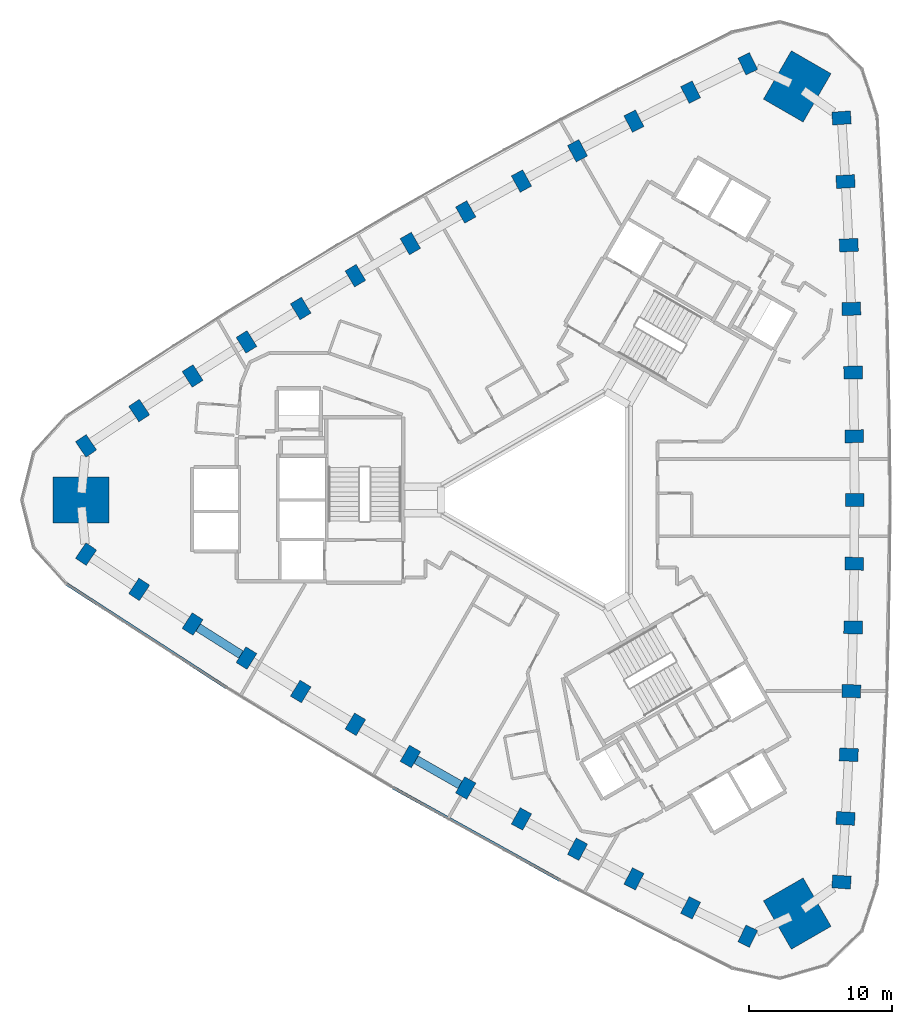
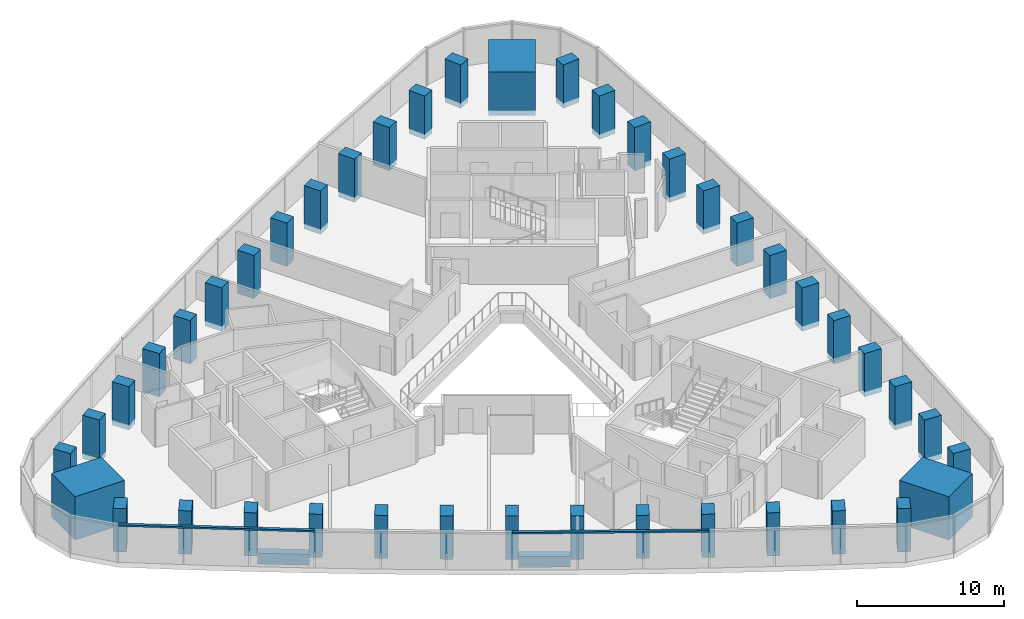
# One storey, part 1 of 12: 42 columns, 2 beams, 2 members, 1 element without a shape of its own.
"""IFC4 building model written with IfcOpenShell, lengths in metres."""

import ifcopenshell
import ifcopenshell.guid

model = None  # the IFC model being written
_history = None  # IfcOwnerHistory: only IFC2X3 demands one
_inside = {}  # id of a spatial element -> (the spatial element, [elements in it])
_under = {}  # id of a project, library or spatial element -> (it, [spatial elements below it])
_declared = {}  # id of a project -> (the project, [libraries it declares])
_typed = {}  # id of a type object -> (the type object, [elements of that type])
_made_of = {}  # id of a material, layer set ... -> (it, [elements and type objects made of it])


def new_model(schema):
    """Start an empty IFC model of exactly this schema.

    Asked for "IFC4X3", IfcOpenShell would pick the latest addendum, in which some entities
    have other attributes; the version numbers below select the first issue.
    IFC2X3 requires an IfcOwnerHistory on every rooted entity: one is made here for all.
    """
    global model, _history
    if schema == "IFC4X3":
        model = ifcopenshell.file(schema_version=(4, 3, 0, 0))
    else:
        model = ifcopenshell.file(schema=schema)
    _inside.clear()
    _under.clear()
    _declared.clear()
    _typed.clear()
    _made_of.clear()
    _history = None
    if model.schema == "IFC2X3":
        org = make("IfcOrganization", Name="unknown")
        user = make(
            "IfcPersonAndOrganization",
            ThePerson=make("IfcPerson", FamilyName="unknown"),
            TheOrganization=org,
        )
        app = make(
            "IfcApplication",
            ApplicationDeveloper=org,
            Version="unknown",
            ApplicationFullName="unknown",
            ApplicationIdentifier="unknown",
        )
        _history = make(
            "IfcOwnerHistory",
            OwningUser=user,
            OwningApplication=app,
            ChangeAction="ADDED",
            CreationDate=0,
        )
    return model


def make(cls, **values):
    """One entity of the class cls with the attributes given. An attribute that is None is left unset."""
    return model.create_entity(
        cls, **{name: value for name, value in values.items() if value is not None}
    )


def rooted(cls, **values):
    """An entity with a GlobalId (a new one), such as an element, a storey or a relation."""
    return make(cls, GlobalId=ifcopenshell.guid.new(), OwnerHistory=_history, **values)


def si_unit(unit_type, name, prefix=None):
    """IfcSIUnit, for example si_unit("LENGTHUNIT", "METRE", prefix="MILLI")."""
    return make("IfcSIUnit", UnitType=unit_type, Prefix=prefix, Name=name)


def assignment(units):
    """IfcUnitAssignment: the units of a project."""
    return None if units is None else make("IfcUnitAssignment", Units=units)


def point(xyz):
    """IfcCartesianPoint."""
    return None if xyz is None else make("IfcCartesianPoint", Coordinates=xyz)


def direction(xyz):
    """IfcDirection."""
    return None if xyz is None else make("IfcDirection", DirectionRatios=xyz)


def frame(location, z_axis=None, x_axis=None):
    """IfcAxis2Placement3D, a coordinate frame: its origin and axes. An axis left out is left unset."""
    return make(
        "IfcAxis2Placement3D",
        Location=point(location),
        Axis=direction(z_axis),
        RefDirection=direction(x_axis),
    )


def frame_2d(location, x_axis=None):
    """IfcAxis2Placement2D, a coordinate frame in the plane: its origin and x axis."""
    return make(
        "IfcAxis2Placement2D", Location=point(location), RefDirection=direction(x_axis)
    )


def origin():
    """The frame at (0, 0, 0) with its axes left unset."""
    return frame((0.0, 0.0, 0.0))


def origin_2d():
    """The frame at (0, 0) in the plane with its x axis left unset."""
    return frame_2d((0.0, 0.0))


def place(relative_to, where):
    """IfcLocalPlacement: puts the frame where relative to a parent placement (None: the world)."""
    return make(
        "IfcLocalPlacement", PlacementRelTo=relative_to, RelativePlacement=where
    )


def context(
    kind, dimensions, precision=None, world=None, true_north=None, identifier=None
):
    """IfcGeometricRepresentationContext, for example the 3D "Model" context."""
    return make(
        "IfcGeometricRepresentationContext",
        ContextIdentifier=identifier,
        ContextType=kind,
        CoordinateSpaceDimension=dimensions,
        Precision=precision,
        WorldCoordinateSystem=world,
        TrueNorth=true_north,
    )


def subcontext(parent, identifier, kind, view, scale=None):
    """IfcGeometricRepresentationSubContext, for example "Body" below "Model"."""
    return make(
        "IfcGeometricRepresentationSubContext",
        ContextIdentifier=identifier,
        ContextType=kind,
        ParentContext=parent,
        TargetScale=scale,
        TargetView=view,
    )


def project(units=None, contexts=None):
    """IfcProject with its units and contexts."""
    return rooted(
        "IfcProject",
        Name="project",
        RepresentationContexts=contexts,
        UnitsInContext=assignment(units),
    )


def spatial(cls, under=None, at=None, **own):
    """A site, building, storey or space (cls), placed at a placement, below another one or the project."""
    s = rooted(cls, ObjectPlacement=at, **own)
    if under is not None:
        _under.setdefault(under.id(), (under, []))[1].append(s)
    return s


def profile(cls, at=None, kind="AREA", **sizes):
    """A parametric profile (cls). Its sizes go by their IFC names, for example OverallWidth=200.0."""
    return make(cls, ProfileType=kind, Position=at, **sizes)


def rectangle(**sizes):
    """IfcRectangleProfileDef."""
    return profile("IfcRectangleProfileDef", **sizes)


def extrude(swept, where, along, depth):
    """IfcExtrudedAreaSolid: the profile swept, set in the frame where, extruded along a direction by depth."""
    return make(
        "IfcExtrudedAreaSolid",
        SweptArea=swept,
        Position=where,
        ExtrudedDirection=direction(along),
        Depth=depth,
    )


def shape(context_of_items, identifier, shape_type, items):
    """IfcShapeRepresentation: the items that make up one representation, for example the "Body"."""
    return make(
        "IfcShapeRepresentation",
        ContextOfItems=context_of_items,
        RepresentationIdentifier=identifier,
        RepresentationType=shape_type,
        Items=items,
    )


def material(Name=None, Category=None):
    """IfcMaterial."""
    return make("IfcMaterial", Name=Name, Category=Category)


def material_profile(
    of_material, cross_section, Name=None, Category=None, Priority=None
):
    """IfcMaterialProfile: a cross section and its material."""
    return make(
        "IfcMaterialProfile",
        Name=Name,
        Material=of_material,
        Profile=cross_section,
        Priority=Priority,
        Category=Category,
    )


def profile_set(profiles, Name=None, composite=None):
    """IfcMaterialProfileSet."""
    return make(
        "IfcMaterialProfileSet",
        Name=Name,
        MaterialProfiles=profiles,
        CompositeProfile=composite,
    )


def made_of(thing, what):
    """Note that an element or type object is made of a material, layer set ...; save() writes the relation."""
    if what is not None:
        _made_of.setdefault(what.id(), (what, []))[1].append(thing)
    return thing


def type_object(cls, material=None, **own):
    """A type object (cls), such as IfcWallType, which elements share."""
    return made_of(rooted(cls, **own), material)


def element(
    cls,
    number,
    at=None,
    inside=None,
    cuts=None,
    type_object=None,
    material=None,
    context=None,
    identifier="Body",
    shape_type=None,
    held_by="IfcProductDefinitionShape",
    body=None,
    shapes=None,
    **own,
):
    """One element of the class cls, such as IfcWall. Its Tag is "e" and its number.

    at: its placement. inside: the storey or other place that contains it. cuts: it is an
    opening in that element (IfcRelVoidsElement). A single representation is given by context,
    identifier, shape_type and body (its items); several are given by shapes. held_by: the class
    of the entity that holds the representations. save() writes the other relations.
    """
    e = rooted(cls, Tag="e%d" % number, ObjectPlacement=at, **own)
    if body is not None:
        shapes = [shape(context, identifier, shape_type, body)]
    if shapes is not None:
        e.Representation = make(held_by, Representations=shapes)
    if inside is not None:
        _inside.setdefault(inside.id(), (inside, []))[1].append(e)
    if cuts is not None:
        rooted(
            "IfcRelVoidsElement", RelatingBuildingElement=cuts, RelatedOpeningElement=e
        )
    if type_object is not None:
        _typed.setdefault(type_object.id(), (type_object, []))[1].append(e)
    return made_of(e, material)


def aggregate(whole, parts):
    """IfcRelAggregates: a whole, such as a stair, and the parts it consists of."""
    return rooted("IfcRelAggregates", RelatingObject=whole, RelatedObjects=parts)


def save(model, path):
    """Write the relations noted so far, then the file.

    IfcRelAggregates (storeys below a building ...), IfcRelContainedInSpatialStructure (elements
    in a storey), IfcRelDefinesByType, IfcRelAssociatesMaterial and IfcRelDeclares: one each for
    every whole, place, type object, material and project.
    """
    for whole, parts in _under.values():
        aggregate(whole, parts)
    for where, things in _inside.values():
        rooted(
            "IfcRelContainedInSpatialStructure",
            RelatedElements=things,
            RelatingStructure=where,
        )
    for kind, things in _typed.values():
        rooted("IfcRelDefinesByType", RelatedObjects=things, RelatingType=kind)
    for what, things in _made_of.values():
        rooted("IfcRelAssociatesMaterial", RelatedObjects=things, RelatingMaterial=what)
    for by, libraries in _declared.values():
        rooted("IfcRelDeclares", RelatingContext=by, RelatedDefinitions=libraries)
    model.write(path)


model = new_model("IFC4")

# Units and contexts
model_context = context("Model", 3, precision=1e-05, world=origin(), true_north=direction((0.0, 1.0)))
body_context = subcontext(model_context, "Body", "Model", "MODEL_VIEW")
ifc_project = project(units=[si_unit("LENGTHUNIT", "METRE"), si_unit("AREAUNIT", "SQUARE_METRE"), si_unit("VOLUMEUNIT", "CUBIC_METRE"), si_unit("PLANEANGLEUNIT", "RADIAN"), si_unit("MASSUNIT", "GRAM", prefix="KILO")], contexts=[model_context])

# Site, building, storey
site_placement = place(None, origin())
site = spatial("IfcSite", under=ifc_project, at=site_placement, CompositionType="ELEMENT")
building_placement = place(site_placement, origin())
building = spatial("IfcBuilding", under=site, at=building_placement, Name="Tamra Quay Hotel Tower", CompositionType="ELEMENT")
storey_placement = place(building_placement, frame((0.0, 0.0, 93.800048828125)))
storey = spatial("IfcBuildingStorey", under=building, at=storey_placement, Name="L22", CompositionType="ELEMENT", Elevation=93.800048828125)

# Columns
ifc_material_1 = material(Name="Concrete M70", Category="concrete")
ifc_material_profile_1 = material_profile(ifc_material_1, rectangle(XDim=1.300048828125, YDim=0.89990234375, at=origin_2d()), Name="COLUMN RC 900x1300 Z2")
ifc_profile_set_1 = profile_set([ifc_material_profile_1], Name="Concrete M70")
column_type_1 = type_object("IfcColumnType", Name="COLUMN RC 900x1300 Z2", PredefinedType="COLUMN", material=ifc_profile_set_1)
for number, where, z_axis, x_axis, name in (
    (1, (19.746337890625, -26.648681640625, -0.425048828125), (0.0, 0.0, 1.0), (-0.997682497858, 0.068041409955, 0.0), "COL-C2E01-L22"),
    (2, (20.02490234375, -22.212158203125, -0.425048828125), (0.0, 0.0, 1.0), (-0.998368034899, 0.057107502941, 0.0), "COL-C2E02-L22"),
    (3, (20.2529296875, -17.773193359375, -0.425048828125), (0.0, 0.0, 1.0), (-0.99895467426, 0.04571169187, 0.0), "COL-C2E03-L22"),
    (4, (20.430419921875, -13.331787109375, -0.425048828125), (0.0, 0.0, 1.0), (-0.999411600314, 0.034299462929, 0.0), "COL-C2E04-L22"),
    (5, (20.557373046875, -8.888916015625, -0.425048828125), (0.0, 0.0, 1.0), (-0.999738355025, 0.022874035338, 0.0), "COL-C2E05-L22"),
    (6, (20.633544921875, -4.44482421875, -0.425048828125), (0.0, 0.0, 1.0), (-0.999934576635, 0.01143863846, 0.0), "COL-C2E06-L22"),
    (7, (20.658935546875, 0.0, -0.425048828125), (0.0, 0.0, 1.0), (1.0, 0.0, 0.0), "COL-C2E07-L22"),
    (8, (20.633544921875, 4.44482421875, -0.425048828125), (0.0, 0.0, 1.0), (0.999934576635, 0.01143863846, 0.0), "COL-C2E08-L22"),
    (9, (20.557373046875, 8.888916015625, -0.425048828125), (0.0, 0.0, 1.0), (0.999738355025, 0.022874035338, 0.0), "COL-C2E09-L22"),
    (10, (20.430419921875, 13.331787109375, -0.425048828125), (0.0, 0.0, 1.0), (0.999411600314, 0.034299462929, 0.0), "COL-C2E10-L22"),
    (11, (20.2529296875, 17.773193359375, -0.425048828125), (0.0, 0.0, 1.0), (0.99895467426, 0.04571169187, 0.0), "COL-C2E11-L22"),
    (12, (20.02490234375, 22.212158203125, -0.425048828125), (0.0, 0.0, 1.0), (0.998368034899, 0.057107502941, 0.0), "COL-C2E12-L22"),
    (13, (19.746337890625, 26.648681640625, -0.425048828125), (0.0, 0.0, 1.0), (0.997682497858, 0.068041409955, 0.0), "COL-C2E13-L22"),
    (14, (13.205078125, 30.425048828125, -0.425048828125), (0.0, 0.0, 1.0), (-0.439915659398, 0.898039093033, 0.0), "COL-C2NW01-L22"),
    (15, (9.223876953125, 28.4482421875, -0.425048828125), (0.0, 0.0, 1.0), (-0.449727469156, 0.893165832019, 0.0), "COL-C2NW02-L22"),
    (16, (5.265625, 26.42626953125, -0.425048828125), (0.0, 0.0, 1.0), (-0.459889850721, 0.887975971074, 0.0), "COL-C2NW03-L22"),
    (17, (1.33056640625, 24.359375, -0.425048828125), (0.0, 0.0, 1.0), (-0.470001593924, 0.882665566174, 0.0), "COL-C2NW04-L22"),
    (18, (-2.580810546875, 22.247802734375, -0.425048828125), (0.0, 0.0, 1.0), (-0.480059681822, 0.877235830258, 0.0), "COL-C2NW05-L22"),
    (19, (-6.467529296875, 20.091552734375, -0.425048828125), (0.0, 0.0, 1.0), (-0.490061136827, 0.871688064718, 0.0), "COL-C2NW06-L22"),
    (20, (-10.32958984375, 17.89111328125, -0.425048828125), (0.0, 0.0, 1.0), (-0.5, 0.866025403784, 0.0), "COL-C2NW07-L22"),
    (21, (-14.166015625, 15.646728515625, -0.425048828125), (0.0, 0.0, 1.0), (-0.509873439808, 0.860249426259, 0.0), "COL-C2NW08-L22"),
    (22, (-17.976806640625, 13.35888671875, -0.425048828125), (0.0, 0.0, 1.0), (-0.519678673202, 0.85436179492, 0.0), "COL-C2NW09-L22"),
    (23, (-21.760986328125, 11.02734375, -0.425048828125), (0.0, 0.0, 1.0), (-0.52941000639, 0.848366103245, 0.0), "COL-C2NW10-L22"),
    (24, (-25.5185546875, 8.653076171875, -0.425048828125), (0.0, 0.0, 1.0), (-0.539064823539, 0.842264279204, 0.0), "COL-C2NW11-L22"),
    (25, (-29.248779296875, 6.23583984375, -0.425048828125), (0.0, 0.0, 1.0), (-0.548640565743, 0.836058329078, 0.0), "COL-C2NW12-L22"),
    (26, (-32.951416015625, 3.776611328125, -0.425048828125), (0.0, 0.0, 1.0), (-0.557766838459, 0.829997683078, 0.0), "COL-C2NW13-L22"),
    (27, (-32.951416015625, -3.776611328125, -0.425048828125), (0.0, 0.0, 1.0), (0.557766838459, 0.829997683078, 0.0), "COL-C2SW01-L22"),
    (28, (-29.248779296875, -6.23583984375, -0.425048828125), (0.0, 0.0, 1.0), (0.548640565743, 0.836058329078, 0.0), "COL-C2SW02-L22"),
    (29, (-25.5185546875, -8.653076171875, -0.425048828125), (0.0, 0.0, 1.0), (0.539064823539, 0.842264279204, 0.0), "COL-C2SW03-L22"),
    (30, (-21.760986328125, -11.02734375, -0.425048828125), (0.0, 0.0, 1.0), (0.52941000639, 0.848366103245, 0.0), "COL-C2SW04-L22"),
    (31, (-17.976806640625, -13.35888671875, -0.425048828125), (0.0, 0.0, 1.0), (0.519678673202, 0.85436179492, 0.0), "COL-C2SW05-L22"),
    (32, (-14.166015625, -15.646728515625, -0.425048828125), (0.0, 0.0, 1.0), (0.509873439808, 0.860249426259, 0.0), "COL-C2SW06-L22"),
    (33, (-10.32958984375, -17.89111328125, -0.425048828125), (0.0, 0.0, 1.0), (0.5, 0.866025403784, 0.0), "COL-C2SW07-L22"),
    (34, (-6.467529296875, -20.091552734375, -0.425048828125), (0.0, 0.0, 1.0), (0.490061136827, 0.871688064718, 0.0), "COL-C2SW08-L22"),
    (35, (-2.580810546875, -22.247802734375, -0.425048828125), (0.0, 0.0, 1.0), (0.480059681822, 0.877235830258, 0.0), "COL-C2SW09-L22"),
    (36, (1.33056640625, -24.359375, -0.425048828125), (0.0, 0.0, 1.0), (0.470001593924, 0.882665566174, 0.0), "COL-C2SW10-L22"),
    (37, (5.265625, -26.42626953125, -0.425048828125), (0.0, 0.0, 1.0), (0.459889850721, 0.887975971074, 0.0), "COL-C2SW11-L22"),
    (38, (9.223876953125, -28.4482421875, -0.425048828125), (0.0, 0.0, 1.0), (0.449727469156, 0.893165832019, 0.0), "COL-C2SW12-L22"),
    (39, (13.205078125, -30.425048828125, -0.425048828125), (0.0, 0.0, 1.0), (0.439915659398, 0.898039093033, 0.0), "COL-C2SW13-L22"),
):
    element("IfcColumn", number, at=place(storey_placement, frame(where, z_axis=z_axis, x_axis=x_axis)), inside=storey, type_object=column_type_1, Name=name, PredefinedType="COLUMN", context=body_context, shape_type="SweptSolid", body=[
        extrude(rectangle(XDim=1.300048828125, YDim=0.89990234375, at=origin_2d()), origin(), (0.0, 0.0, 1.0), 3.60009765625),
    ])
ifc_material_profile_2 = material_profile(ifc_material_1, rectangle(XDim=3.89990234375, YDim=3.199951171875, at=origin_2d()), Name="MEGA COLUMN RC 3200x3900 Z2")
ifc_profile_set_2 = profile_set([ifc_material_profile_2], Name="Concrete M70")
column_type_2 = type_object("IfcColumnType", Name="MEGA COLUMN RC 3200x3900 Z2", PredefinedType="COLUMN", material=ifc_profile_set_2)
for number, where, z_axis, x_axis, name in (
    (40, (16.65673828125, 28.8505859375, -0.425048828125), (0.0, 0.0, 1.0), (0.5, 0.866025403784, 0.0), "COL-M2NE-L22"),
    (41, (-33.313720703125, 0.0, -0.425048828125), (0.0, 0.0, 1.0), (1.0, 0.0, 0.0), "COL-M2W-L22"),
    (42, (16.65673828125, -28.8505859375, -0.425048828125), (0.0, 0.0, 1.0), (-0.5, 0.866025403784, 0.0), "COL-M2SE-L22"),
):
    element("IfcColumn", number, at=place(storey_placement, frame(where, z_axis=z_axis, x_axis=x_axis)), inside=storey, type_object=column_type_2, Name=name, PredefinedType="COLUMN", context=body_context, shape_type="SweptSolid", body=[
        extrude(rectangle(XDim=3.89990234375, YDim=3.199951171875, at=origin_2d()), origin(), (0.0, 0.0, 1.0), 3.60009765625),
    ])

# Beams
ifc_material_2 = material(Name="Concrete M60", Category="concrete")
ifc_material_profile_3 = material_profile(ifc_material_2, rectangle(XDim=0.60009765625, YDim=0.89990234375, at=origin_2d()), Name="SPANDREL BEAM RC 600x900")
ifc_profile_set_3 = profile_set([ifc_material_profile_3], Name="Concrete M60")
beam_type = type_object("IfcBeamType", Name="SPANDREL BEAM RC 600x900", PredefinedType="SPANDREL", material=ifc_profile_set_3)
for number, where, z_axis, x_axis, name in (
    (43, (-25.13818359375, -8.893310546875, -0.875), (0.845333394052, -0.534239134566, 0.0), (0.534239134566, 0.845333394052, 0.0), "BM-SP2-030-L22"),
    (44, (-9.9384765625, -18.114013671875, -0.875), (0.868869699181, -0.495040852704, 0.0), (0.495040852704, 0.868869699181, 0.0), "BM-SP2-034-L22"),
):
    element("IfcBeam", number, at=place(storey_placement, frame(where, z_axis=z_axis, x_axis=x_axis)), inside=storey, type_object=beam_type, Name=name, PredefinedType="SPANDREL", context=body_context, shape_type="SweptSolid", body=[
        extrude(rectangle(XDim=0.60009765625, YDim=0.89990234375, at=origin_2d()), origin(), (0.0, 0.0, 1.0), 3.544921875),
    ])

# Curtain wall, members
ifc_material_3 = material(Name="Aluminium 6063 anodised dark grey", Category="aluminium")
curtain_wall_type = type_object("IfcCurtainWallType", Name="CW3 CURTAIN WALL", PredefinedType="NOTDEFINED", material=ifc_material_3)
curtain_wall_placement = place(storey_placement, origin())
curtain_wall = element("IfcCurtainWall", 45, at=curtain_wall_placement, inside=storey, type_object=curtain_wall_type, Name="CW3 south-west face L22", PredefinedType="NOTDEFINED")
ifc_material_profile_4 = material_profile(ifc_material_3, rectangle(XDim=0.219970703125, YDim=0.139892578125, at=origin_2d()), Name="TRANSOM 220X140")
ifc_profile_set_4 = profile_set([ifc_material_profile_4], Name="Aluminium 6063 anodised dark grey")
member_type = type_object("IfcMemberType", Name="TRANSOM CW3 Z2", PredefinedType="USERDEFINED", material=ifc_profile_set_4)
member_1_placement = place(storey_placement, frame((-34.29638671875, -5.867431640625, 3.10498046875), z_axis=(0.8392271939, -0.543780945804, 0.0), x_axis=(0.543780945804, 0.8392271939, 0.0)))
member_1 = element("IfcMember", 46, at=member_1_placement, type_object=member_type, Name="CW3 transom L22.SW.1", ObjectType="TRANSOM", PredefinedType="USERDEFINED", context=body_context, shape_type="SweptSolid", body=[
    extrude(rectangle(XDim=0.219970703125, YDim=0.139892578125, at=origin_2d()), origin(), (0.0, 0.0, 1.0), 13.318115234375),
])
member_2_placement = place(storey_placement, frame((-11.529052734375, -20.068603515625, 3.10498046875), z_axis=(0.874459721019, -0.485098130605, 0.0), x_axis=(0.485098130605, 0.874459721019, 0.0)))
member_2 = element("IfcMember", 47, at=member_2_placement, type_object=member_type, Name="CW3 transom L22.SW.7", ObjectType="TRANSOM", PredefinedType="USERDEFINED", context=body_context, shape_type="SweptSolid", body=[
    extrude(rectangle(XDim=0.219970703125, YDim=0.139892578125, at=origin_2d()), origin(), (0.0, 0.0, 1.0), 13.3193359375),
])
aggregate(curtain_wall, [member_1, member_2])

save(model, "model.ifc")
